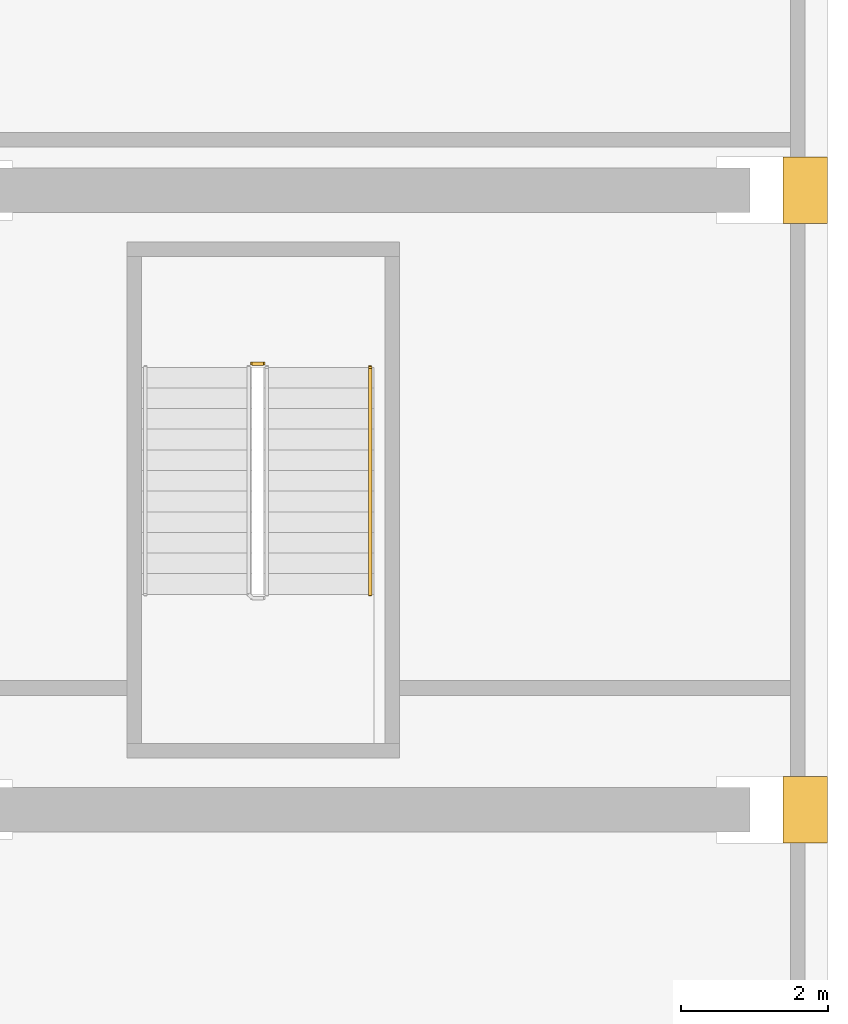
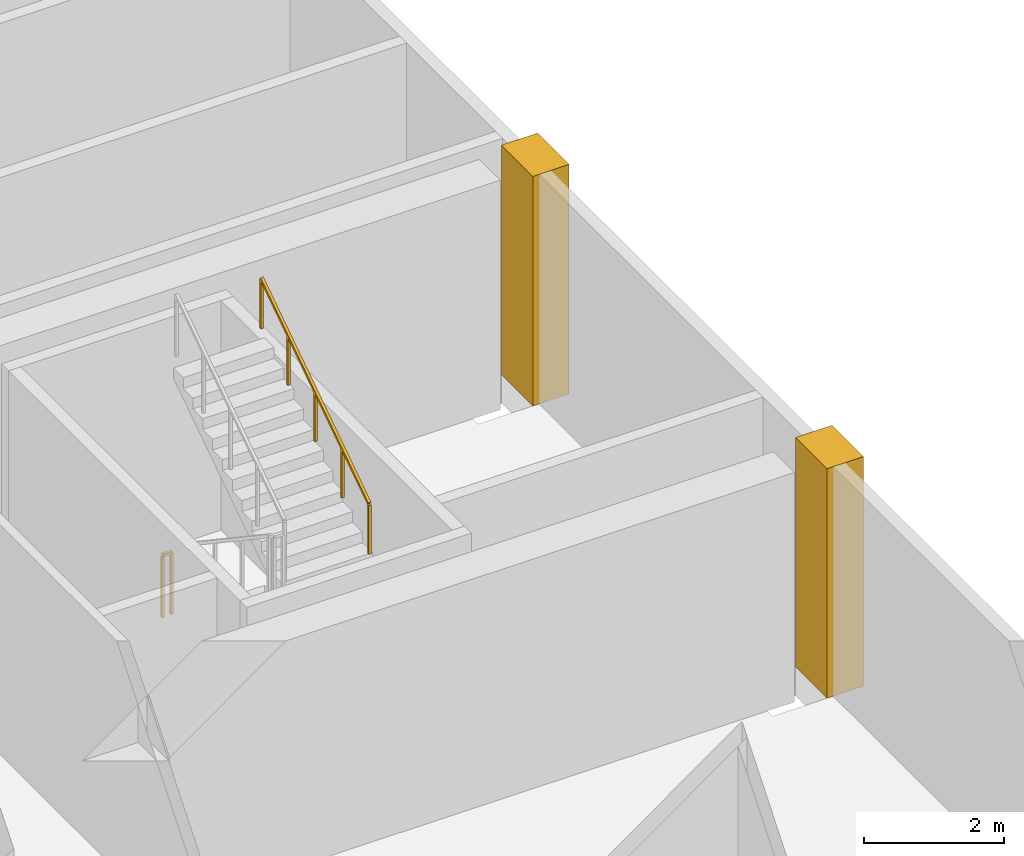
# One storey, part 9 of 11: 2 coverings, 2 railings.
"""IFC4 building model written with IfcOpenShell, lengths in metres."""

from ifc_helpers import new_model, si_unit, direction, frame, origin, origin_2d, place, context, subcontext, project, spatial, polyline, rectangle, outline, extrude, material, type_object, element, save


model = new_model("IFC4")

# Units and contexts
model_context = context("Model", 3, precision=1e-05, world=origin(), true_north=direction((0.0, 1.0)))
body_context = subcontext(model_context, "Body", "Model", "MODEL_VIEW")
ifc_project = project(units=[si_unit("LENGTHUNIT", "METRE"), si_unit("AREAUNIT", "SQUARE_METRE"), si_unit("VOLUMEUNIT", "CUBIC_METRE"), si_unit("PLANEANGLEUNIT", "RADIAN"), si_unit("MASSUNIT", "GRAM", prefix="KILO")], contexts=[model_context])

# Site, building, storey
site_placement = place(None, origin())
site = spatial("IfcSite", under=ifc_project, at=site_placement, CompositionType="ELEMENT")
building_placement = place(site_placement, origin())
building = spatial("IfcBuilding", under=site, at=building_placement, Name="Vermilion Ogive Tower", CompositionType="ELEMENT")
storey_placement = place(building_placement, frame((0.0, 0.0, 264.85009765625)))
storey = spatial("IfcBuildingStorey", under=building, at=storey_placement, Name="L70", CompositionType="ELEMENT", Elevation=264.85009765625)

# Railings
ifc_material_1 = material(Name="Steel S355 painted", Category="steel")
railing_type_1 = type_object("IfcRailingType", Name="Stair guard 1100", PredefinedType="GUARDRAIL", material=ifc_material_1)
railing_1_placement = place(storey_placement, frame((18.449951171875, 1.85009765625, 0.0)))
element("IfcRailing", 1, at=railing_1_placement, inside=storey, type_object=railing_type_1, Name="L70 ST8 stair guard 4", PredefinedType="GUARDRAIL", context=body_context, shape_type="SweptSolid", body=[
    extrude(rectangle(XDim=0.048095703125, YDim=0.048095703125, at=origin_2d()), frame((0.0, 0.0, 1.076171875), z_axis=(1.0, 0.0, 0.0), x_axis=(0.0, 1.0, 0.0)), (0.0, 0.0, 1.0), 0.150146484375),
    extrude(rectangle(XDim=0.0419921875, YDim=0.0419921875, at=origin_2d()), origin(), (0.0, 0.0, 1.0), 1.052001953125),
    extrude(rectangle(XDim=0.0419921875, YDim=0.0419921875, at=origin_2d()), frame((0.150146484375, 0.0, 0.0)), (0.0, 0.0, 1.0), 1.052001953125),
])
ifc_material_2 = material(Name="Stainless steel", Category="steel")
railing_type_2 = type_object("IfcRailingType", Name="Stair handrail 900", PredefinedType="HANDRAIL", material=ifc_material_2)
railing_2_placement = place(storey_placement, frame((20.050048828125, -1.280029296875, 2.4375)))
element("IfcRailing", 2, at=railing_2_placement, inside=storey, type_object=railing_type_2, Name="L70 ST8 stair handrail 2", PredefinedType="HANDRAIL", context=body_context, shape_type="SweptSolid", body=[
    extrude(rectangle(XDim=0.048095703125, YDim=0.048095703125, at=origin_2d()), frame((0.0, 0.0, 0.8759765625), z_axis=(0.0, 0.830913701846, 0.55640131208), x_axis=(-1.0, 0.0, 0.0)), (0.0, 0.0, 1.0), 3.706787109375),
    extrude(rectangle(XDim=0.0419921875, YDim=0.0419921875, at=origin_2d()), origin(), (0.0, 0.0, 1.0), 0.851806640625),
    extrude(rectangle(XDim=0.0419921875, YDim=0.0419921875, at=origin_2d()), frame((0.0, 0.77001953125, 0.515625)), (0.0, 0.0, 1.0), 0.851806640625),
    extrude(rectangle(XDim=0.0419921875, YDim=0.0419921875, at=origin_2d()), frame((0.0, 1.5400390625, 1.03125)), (0.0, 0.0, 1.0), 0.851806640625),
    extrude(rectangle(XDim=0.0419921875, YDim=0.0419921875, at=origin_2d()), frame((0.0, 2.31005859375, 1.546875)), (0.0, 0.0, 1.0), 0.851806640625),
    extrude(rectangle(XDim=0.0419921875, YDim=0.0419921875, at=origin_2d()), frame((0.0, 3.080078125, 2.0625)), (0.0, 0.0, 1.0), 0.851806640625),
])

# Coverings
ifc_material_3 = material(Name="Stone cladding", Category="masonry")
covering_type = type_object("IfcCoveringType", Name="Stone pier", PredefinedType="CLADDING", material=ifc_material_3)
covering_1_placement = place(storey_placement, origin())
element("IfcCovering", 3, at=covering_1_placement, inside=storey, type_object=covering_type, Name="Stone pier P+0252+042", PredefinedType="CLADDING", context=body_context, shape_type="SweptSolid", body=[
    extrude(outline(polyline([(26.25, 4.64990234375), (26.25, 3.75), (25.64990234375, 3.75), (25.64990234375, 4.64990234375), (26.25, 4.64990234375)])), origin(), (0.0, 0.0, 1.0), 4.0),
])
covering_2_placement = place(storey_placement, origin())
element("IfcCovering", 4, at=covering_2_placement, inside=storey, type_object=covering_type, Name="Stone pier P+0252-042", PredefinedType="CLADDING", context=body_context, shape_type="SweptSolid", body=[
    extrude(outline(polyline([(26.25, -3.75), (26.25, -4.64990234375), (25.64990234375, -4.64990234375), (25.64990234375, -3.75), (26.25, -3.75)])), origin(), (0.0, 0.0, 1.0), 4.0),
])

save(model, "model.ifc")
